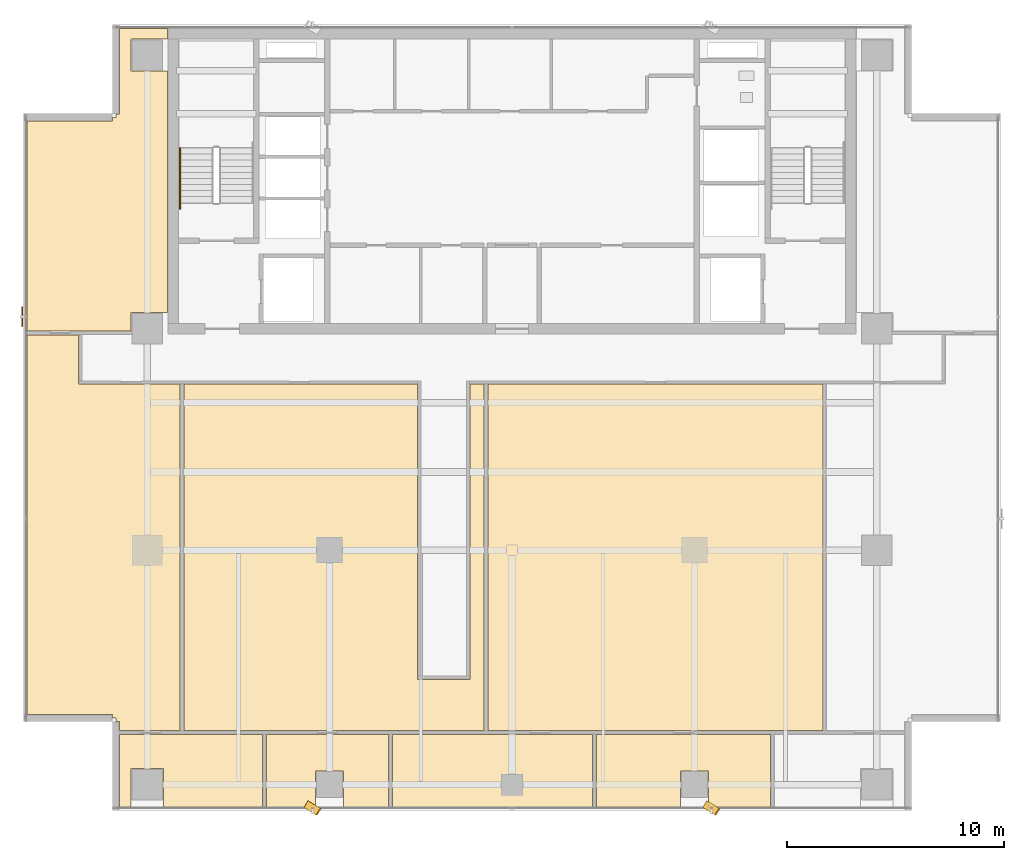
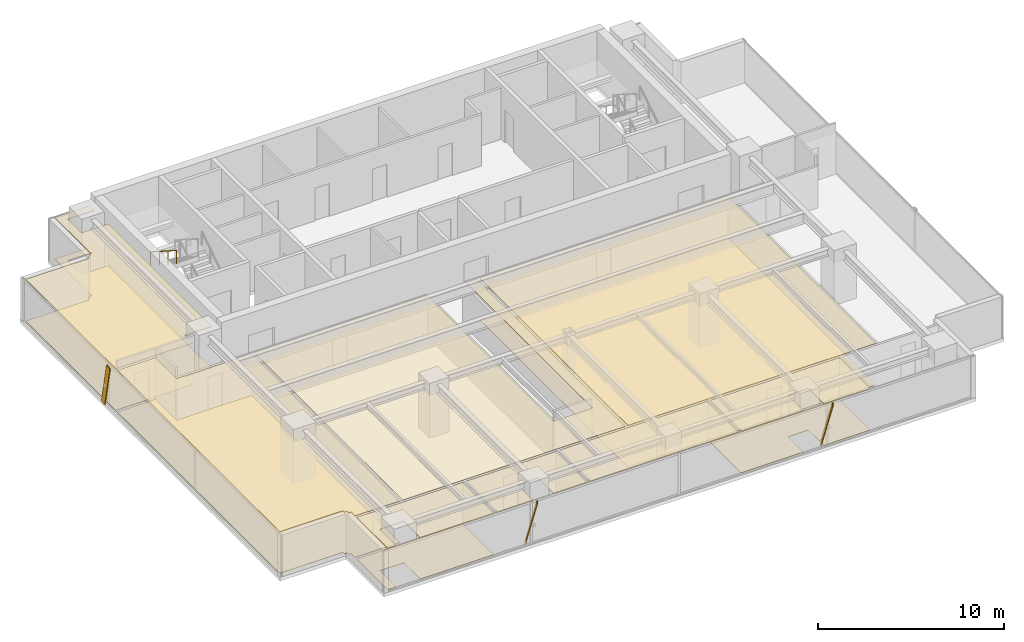
# One storey, part 22 of 26: 13 coverings, 3 shading devices, 1 railing.
"""IFC4 building model written with IfcOpenShell, lengths in metres."""

import ifcopenshell
import ifcopenshell.guid

model = None  # the IFC model being written
_history = None  # IfcOwnerHistory: only IFC2X3 demands one
_inside = {}  # id of a spatial element -> (the spatial element, [elements in it])
_under = {}  # id of a project, library or spatial element -> (it, [spatial elements below it])
_declared = {}  # id of a project -> (the project, [libraries it declares])
_typed = {}  # id of a type object -> (the type object, [elements of that type])
_made_of = {}  # id of a material, layer set ... -> (it, [elements and type objects made of it])


def new_model(schema):
    """Start an empty IFC model of exactly this schema.

    Asked for "IFC4X3", IfcOpenShell would pick the latest addendum, in which some entities
    have other attributes; the version numbers below select the first issue.
    IFC2X3 requires an IfcOwnerHistory on every rooted entity: one is made here for all.
    """
    global model, _history
    if schema == "IFC4X3":
        model = ifcopenshell.file(schema_version=(4, 3, 0, 0))
    else:
        model = ifcopenshell.file(schema=schema)
    _inside.clear()
    _under.clear()
    _declared.clear()
    _typed.clear()
    _made_of.clear()
    _history = None
    if model.schema == "IFC2X3":
        org = make("IfcOrganization", Name="unknown")
        user = make(
            "IfcPersonAndOrganization",
            ThePerson=make("IfcPerson", FamilyName="unknown"),
            TheOrganization=org,
        )
        app = make(
            "IfcApplication",
            ApplicationDeveloper=org,
            Version="unknown",
            ApplicationFullName="unknown",
            ApplicationIdentifier="unknown",
        )
        _history = make(
            "IfcOwnerHistory",
            OwningUser=user,
            OwningApplication=app,
            ChangeAction="ADDED",
            CreationDate=0,
        )
    return model


def make(cls, **values):
    """One entity of the class cls with the attributes given. An attribute that is None is left unset."""
    return model.create_entity(
        cls, **{name: value for name, value in values.items() if value is not None}
    )


def rooted(cls, **values):
    """An entity with a GlobalId (a new one), such as an element, a storey or a relation."""
    return make(cls, GlobalId=ifcopenshell.guid.new(), OwnerHistory=_history, **values)


def si_unit(unit_type, name, prefix=None):
    """IfcSIUnit, for example si_unit("LENGTHUNIT", "METRE", prefix="MILLI")."""
    return make("IfcSIUnit", UnitType=unit_type, Prefix=prefix, Name=name)


def assignment(units):
    """IfcUnitAssignment: the units of a project."""
    return None if units is None else make("IfcUnitAssignment", Units=units)


def point(xyz):
    """IfcCartesianPoint."""
    return None if xyz is None else make("IfcCartesianPoint", Coordinates=xyz)


def direction(xyz):
    """IfcDirection."""
    return None if xyz is None else make("IfcDirection", DirectionRatios=xyz)


def frame(location, z_axis=None, x_axis=None):
    """IfcAxis2Placement3D, a coordinate frame: its origin and axes. An axis left out is left unset."""
    return make(
        "IfcAxis2Placement3D",
        Location=point(location),
        Axis=direction(z_axis),
        RefDirection=direction(x_axis),
    )


def frame_2d(location, x_axis=None):
    """IfcAxis2Placement2D, a coordinate frame in the plane: its origin and x axis."""
    return make(
        "IfcAxis2Placement2D", Location=point(location), RefDirection=direction(x_axis)
    )


def origin():
    """The frame at (0, 0, 0) with its axes left unset."""
    return frame((0.0, 0.0, 0.0))


def origin_2d():
    """The frame at (0, 0) in the plane with its x axis left unset."""
    return frame_2d((0.0, 0.0))


def place(relative_to, where):
    """IfcLocalPlacement: puts the frame where relative to a parent placement (None: the world)."""
    return make(
        "IfcLocalPlacement", PlacementRelTo=relative_to, RelativePlacement=where
    )


def context(
    kind, dimensions, precision=None, world=None, true_north=None, identifier=None
):
    """IfcGeometricRepresentationContext, for example the 3D "Model" context."""
    return make(
        "IfcGeometricRepresentationContext",
        ContextIdentifier=identifier,
        ContextType=kind,
        CoordinateSpaceDimension=dimensions,
        Precision=precision,
        WorldCoordinateSystem=world,
        TrueNorth=true_north,
    )


def subcontext(parent, identifier, kind, view, scale=None):
    """IfcGeometricRepresentationSubContext, for example "Body" below "Model"."""
    return make(
        "IfcGeometricRepresentationSubContext",
        ContextIdentifier=identifier,
        ContextType=kind,
        ParentContext=parent,
        TargetScale=scale,
        TargetView=view,
    )


def project(units=None, contexts=None):
    """IfcProject with its units and contexts."""
    return rooted(
        "IfcProject",
        Name="project",
        RepresentationContexts=contexts,
        UnitsInContext=assignment(units),
    )


def spatial(cls, under=None, at=None, **own):
    """A site, building, storey or space (cls), placed at a placement, below another one or the project."""
    s = rooted(cls, ObjectPlacement=at, **own)
    if under is not None:
        _under.setdefault(under.id(), (under, []))[1].append(s)
    return s


def polyline(points):
    """IfcPolyline through the points."""
    return make("IfcPolyline", Points=[point(p) for p in points])


def profile(cls, at=None, kind="AREA", **sizes):
    """A parametric profile (cls). Its sizes go by their IFC names, for example OverallWidth=200.0."""
    return make(cls, ProfileType=kind, Position=at, **sizes)


def rectangle(**sizes):
    """IfcRectangleProfileDef."""
    return profile("IfcRectangleProfileDef", **sizes)


def outline(outer, holes=None, kind="AREA"):
    """IfcArbitraryClosedProfileDef: a profile drawn as a closed curve; with holes, ...WithVoids."""
    if holes is None:
        return make("IfcArbitraryClosedProfileDef", ProfileType=kind, OuterCurve=outer)
    return make(
        "IfcArbitraryProfileDefWithVoids",
        ProfileType=kind,
        OuterCurve=outer,
        InnerCurves=holes,
    )


def extrude(swept, where, along, depth):
    """IfcExtrudedAreaSolid: the profile swept, set in the frame where, extruded along a direction by depth."""
    return make(
        "IfcExtrudedAreaSolid",
        SweptArea=swept,
        Position=where,
        ExtrudedDirection=direction(along),
        Depth=depth,
    )


def shape(context_of_items, identifier, shape_type, items):
    """IfcShapeRepresentation: the items that make up one representation, for example the "Body"."""
    return make(
        "IfcShapeRepresentation",
        ContextOfItems=context_of_items,
        RepresentationIdentifier=identifier,
        RepresentationType=shape_type,
        Items=items,
    )


def source(mapping_origin, context_of_items, identifier, shape_type, items):
    """IfcRepresentationMap: a shape defined once, which mapped items show again and again."""
    return make(
        "IfcRepresentationMap",
        MappingOrigin=mapping_origin,
        MappedRepresentation=shape(context_of_items, identifier, shape_type, items),
    )


def transform(
    local_origin,
    x_axis=None,
    y_axis=None,
    z_axis=None,
    scale=None,
    scale2=None,
    scale3=None,
    uniform=True,
):
    """IfcCartesianTransformationOperator3D, or its non-uniform kind. x_axis, y_axis, z_axis: its Axis1, 2, 3."""
    if uniform:
        return make(
            "IfcCartesianTransformationOperator3D",
            Axis1=direction(x_axis),
            Axis2=direction(y_axis),
            LocalOrigin=point(local_origin),
            Scale=scale,
            Axis3=direction(z_axis),
        )
    return make(
        "IfcCartesianTransformationOperator3DnonUniform",
        Axis1=direction(x_axis),
        Axis2=direction(y_axis),
        LocalOrigin=point(local_origin),
        Scale=scale,
        Axis3=direction(z_axis),
        Scale2=scale2,
        Scale3=scale3,
    )


def mapped(mapping_source, mapping_target):
    """IfcMappedItem: shows the shape of a source again, moved by a transform."""
    return make(
        "IfcMappedItem", MappingSource=mapping_source, MappingTarget=mapping_target
    )


def material(Name=None, Category=None):
    """IfcMaterial."""
    return make("IfcMaterial", Name=Name, Category=Category)


def layer(
    of_material, thickness, ventilated=None, Name=None, Category=None, Priority=None
):
    """IfcMaterialLayer: one layer of a wall or slab, of a material (None: an air gap)."""
    return make(
        "IfcMaterialLayer",
        Material=of_material,
        LayerThickness=thickness,
        IsVentilated=ventilated,
        Name=Name,
        Category=Category,
        Priority=Priority,
    )


def layer_set(layers, Name=None):
    """IfcMaterialLayerSet."""
    return make("IfcMaterialLayerSet", MaterialLayers=layers, LayerSetName=Name)


def material_profile(
    of_material, cross_section, Name=None, Category=None, Priority=None
):
    """IfcMaterialProfile: a cross section and its material."""
    return make(
        "IfcMaterialProfile",
        Name=Name,
        Material=of_material,
        Profile=cross_section,
        Priority=Priority,
        Category=Category,
    )


def profile_set(profiles, Name=None, composite=None):
    """IfcMaterialProfileSet."""
    return make(
        "IfcMaterialProfileSet",
        Name=Name,
        MaterialProfiles=profiles,
        CompositeProfile=composite,
    )


def made_of(thing, what):
    """Note that an element or type object is made of a material, layer set ...; save() writes the relation."""
    if what is not None:
        _made_of.setdefault(what.id(), (what, []))[1].append(thing)
    return thing


def type_object(cls, material=None, **own):
    """A type object (cls), such as IfcWallType, which elements share."""
    return made_of(rooted(cls, **own), material)


def element(
    cls,
    number,
    at=None,
    inside=None,
    cuts=None,
    type_object=None,
    material=None,
    context=None,
    identifier="Body",
    shape_type=None,
    held_by="IfcProductDefinitionShape",
    body=None,
    shapes=None,
    **own,
):
    """One element of the class cls, such as IfcWall. Its Tag is "e" and its number.

    at: its placement. inside: the storey or other place that contains it. cuts: it is an
    opening in that element (IfcRelVoidsElement). A single representation is given by context,
    identifier, shape_type and body (its items); several are given by shapes. held_by: the class
    of the entity that holds the representations. save() writes the other relations.
    """
    e = rooted(cls, Tag="e%d" % number, ObjectPlacement=at, **own)
    if body is not None:
        shapes = [shape(context, identifier, shape_type, body)]
    if shapes is not None:
        e.Representation = make(held_by, Representations=shapes)
    if inside is not None:
        _inside.setdefault(inside.id(), (inside, []))[1].append(e)
    if cuts is not None:
        rooted(
            "IfcRelVoidsElement", RelatingBuildingElement=cuts, RelatedOpeningElement=e
        )
    if type_object is not None:
        _typed.setdefault(type_object.id(), (type_object, []))[1].append(e)
    return made_of(e, material)


def aggregate(whole, parts):
    """IfcRelAggregates: a whole, such as a stair, and the parts it consists of."""
    return rooted("IfcRelAggregates", RelatingObject=whole, RelatedObjects=parts)


def save(model, path):
    """Write the relations noted so far, then the file.

    IfcRelAggregates (storeys below a building ...), IfcRelContainedInSpatialStructure (elements
    in a storey), IfcRelDefinesByType, IfcRelAssociatesMaterial and IfcRelDeclares: one each for
    every whole, place, type object, material and project.
    """
    for whole, parts in _under.values():
        aggregate(whole, parts)
    for where, things in _inside.values():
        rooted(
            "IfcRelContainedInSpatialStructure",
            RelatedElements=things,
            RelatingStructure=where,
        )
    for kind, things in _typed.values():
        rooted("IfcRelDefinesByType", RelatedObjects=things, RelatingType=kind)
    for what, things in _made_of.values():
        rooted("IfcRelAssociatesMaterial", RelatedObjects=things, RelatingMaterial=what)
    for by, libraries in _declared.values():
        rooted("IfcRelDeclares", RelatingContext=by, RelatedDefinitions=libraries)
    model.write(path)


model = new_model("IFC4")

# Units and contexts
model_context = context("Model", 3, precision=1e-05, world=origin(), true_north=direction((0.0, 1.0)))
body_context = subcontext(model_context, "Body", "Model", "MODEL_VIEW")
ifc_project = project(units=[si_unit("LENGTHUNIT", "METRE"), si_unit("AREAUNIT", "SQUARE_METRE"), si_unit("VOLUMEUNIT", "CUBIC_METRE"), si_unit("PLANEANGLEUNIT", "RADIAN"), si_unit("MASSUNIT", "GRAM", prefix="KILO")], contexts=[model_context])

# Site, building, storey
site_placement = place(None, origin())
site = spatial("IfcSite", under=ifc_project, at=site_placement, CompositionType="ELEMENT")
building_placement = place(site_placement, origin())
building = spatial("IfcBuilding", under=site, at=building_placement, Name="Sumidabori Civic Tower", CompositionType="ELEMENT")
storey_placement = place(building_placement, frame((0.0, 0.0, 236.0)))
storey = spatial("IfcBuildingStorey", under=building, at=storey_placement, Name="L61", CompositionType="ELEMENT", Elevation=236.0)

# Coverings
ifc_material_1 = material(Name="Perforated Timber Acoustic Ceiling", Category="wood")
ifc_layer_1 = layer(ifc_material_1, 0.044921875, Name="Perforated Timber Acoustic Ceiling")
ifc_layer_set_1 = layer_set([ifc_layer_1], Name="Perforated Timber Acoustic Ceiling")
covering_type_1 = type_object("IfcCoveringType", Name="CV-CEIL-AC2", PredefinedType="CEILING", material=ifc_layer_set_1)
covering_1_placement = place(storey_placement, frame((0.0, 0.0, 2.719970703125)))
element("IfcCovering", 1, at=covering_1_placement, inside=storey, type_object=covering_type_1, Name="Room Acoustic Ceiling L61-01", PredefinedType="CEILING", context=body_context, shape_type="SweptSolid", body=[
    extrude(outline(polyline([(-22.330078125, 10.08740234375), (-22.330078125, 19.77197265625), (-18.39208984375, 19.77197265625), (-18.39208984375, 19.929931640625), (-18.22998046875, 19.929931640625), (-18.22998046875, 20.092041015625), (-18.072021484375, 20.092041015625), (-18.072021484375, 24.030029296875), (-15.8779296875, 24.030029296875), (-15.8779296875, 23.5400390625), (-17.5400390625, 23.5400390625), (-17.5400390625, 22.06005859375), (-15.8779296875, 22.06005859375), (-15.8779296875, 10.93994140625), (-17.5400390625, 10.93994140625), (-17.5400390625, 10.10498046875), (-19.955078125, 10.10498046875), (-19.955078125, 10.08740234375), (-22.330078125, 10.08740234375)])), origin(), (0.0, 0.0, 1.0), 0.044921875),
])
covering_2_placement = place(storey_placement, frame((0.0, 0.0, 2.719970703125)))
element("IfcCovering", 2, at=covering_2_placement, inside=storey, type_object=covering_type_1, Name="Room Acoustic Ceiling L61-03", PredefinedType="CEILING", context=body_context, shape_type="SweptSolid", body=[
    extrude(outline(polyline([(-22.330078125, -7.572021484375), (-22.330078125, 9.91259765625), (-19.955078125, 9.91259765625), (-19.955078125, 7.64501953125), (-15.28759765625, 7.64501953125), (-15.28759765625, -8.3125), (-18.072021484375, -8.3125), (-18.072021484375, -7.89208984375), (-18.22998046875, -7.89208984375), (-18.22998046875, -7.72998046875), (-18.39208984375, -7.72998046875), (-18.39208984375, -7.572021484375), (-22.330078125, -7.572021484375)])), origin(), (0.0, 0.0, 1.0), 0.044921875),
])
covering_3_placement = place(storey_placement, frame((0.0, 0.0, 2.719970703125)))
element("IfcCovering", 3, at=covering_3_placement, inside=storey, type_object=covering_type_1, Name="Room Acoustic Ceiling L61-05", PredefinedType="CEILING", context=body_context, shape_type="SweptSolid", body=[
    extrude(outline(polyline([(-1.112548828125, -8.3125), (-1.112548828125, 7.64501953125), (14.3125, 7.64501953125), (14.3125, -8.3125), (-1.112548828125, -8.3125)])), origin(), (0.0, 0.0, 1.0), 0.044921875),
])
covering_4_placement = place(storey_placement, frame((0.0, 0.0, 2.719970703125)))
element("IfcCovering", 4, at=covering_4_placement, inside=storey, type_object=covering_type_1, Name="Room Acoustic Ceiling L61-06", PredefinedType="CEILING", context=body_context, shape_type="SweptSolid", body=[
    extrude(outline(polyline([(-15.112548828125, -8.3125), (-15.112548828125, 7.64501953125), (-4.35498046875, 7.64501953125), (-4.35498046875, -5.955078125), (-1.945068359375, -5.955078125), (-1.945068359375, 7.64501953125), (-1.28759765625, 7.64501953125), (-1.28759765625, -8.3125), (-15.112548828125, -8.3125)])), origin(), (0.0, 0.0, 1.0), 0.044921875),
])
covering_5_placement = place(storey_placement, frame((0.0, 0.0, 2.719970703125)))
element("IfcCovering", 5, at=covering_5_placement, inside=storey, type_object=covering_type_1, Name="Room Acoustic Ceiling L61-07", PredefinedType="CEILING", context=body_context, shape_type="SweptSolid", body=[
    extrude(outline(polyline([(-11.487548828125, -8.487548828125), (-11.487548828125, -11.830078125), (-16.06005859375, -11.830078125), (-16.06005859375, -10.06005859375), (-17.5400390625, -10.06005859375), (-17.5400390625, -11.830078125), (-18.072021484375, -11.830078125), (-18.072021484375, -8.487548828125), (-11.487548828125, -8.487548828125)])), origin(), (0.0, 0.0, 1.0), 0.044921875),
])
covering_6_placement = place(storey_placement, frame((0.0, 0.0, 2.719970703125)))
element("IfcCovering", 6, at=covering_6_placement, inside=storey, type_object=covering_type_1, Name="Room Acoustic Ceiling L61-08", PredefinedType="CEILING", context=body_context, shape_type="SweptSolid", body=[
    extrude(outline(polyline([(-5.6875, -8.487548828125), (-5.6875, -11.830078125), (-7.760009765625, -11.830078125), (-7.760009765625, -10.159912109375), (-9.0400390625, -10.159912109375), (-9.0400390625, -11.830078125), (-11.3125, -11.830078125), (-11.3125, -8.487548828125), (-5.6875, -8.487548828125)])), origin(), (0.0, 0.0, 1.0), 0.044921875),
])
covering_7_placement = place(storey_placement, frame((0.0, 0.0, 2.719970703125)))
element("IfcCovering", 7, at=covering_7_placement, inside=storey, type_object=covering_type_1, Name="Room Acoustic Ceiling L61-10", PredefinedType="CEILING", context=body_context, shape_type="SweptSolid", body=[
    extrude(outline(polyline([(3.71240234375, -8.487548828125), (3.71240234375, -11.830078125), (-5.512451171875, -11.830078125), (-5.512451171875, -8.487548828125), (3.71240234375, -8.487548828125)])), origin(), (0.0, 0.0, 1.0), 0.044921875),
])
covering_8_placement = place(storey_placement, frame((0.0, 0.0, 2.719970703125)))
element("IfcCovering", 8, at=covering_8_placement, inside=storey, type_object=covering_type_1, Name="Room Acoustic Ceiling L61-11", PredefinedType="CEILING", context=body_context, shape_type="SweptSolid", body=[
    extrude(outline(polyline([(11.91259765625, -8.487548828125), (11.91259765625, -11.830078125), (9.0400390625, -11.830078125), (9.0400390625, -10.159912109375), (7.760009765625, -10.159912109375), (7.760009765625, -11.830078125), (3.887451171875, -11.830078125), (3.887451171875, -8.487548828125), (11.91259765625, -8.487548828125)])), origin(), (0.0, 0.0, 1.0), 0.044921875),
])
ifc_material_2 = material(Name="Honed Terrazzo Tile Flooring")
ifc_layer_2 = layer(ifc_material_2, 0.030029296875, Name="Honed Terrazzo Tile Flooring")
ifc_layer_set_2 = layer_set([ifc_layer_2], Name="Honed Terrazzo Tile Flooring")
covering_type_2 = type_object("IfcCoveringType", Name="CV-FLR-TER", PredefinedType="FLOORING", material=ifc_layer_set_2)
covering_9_placement = place(storey_placement, origin())
element("IfcCovering", 9, at=covering_9_placement, inside=storey, type_object=covering_type_2, Name="Room Terrazzo Floor L61-01", PredefinedType="FLOORING", context=body_context, shape_type="SweptSolid", body=[
    extrude(outline(polyline([(-22.330078125, 10.08740234375), (-22.330078125, 19.77197265625), (-18.39208984375, 19.77197265625), (-18.39208984375, 19.929931640625), (-18.22998046875, 19.929931640625), (-18.22998046875, 20.092041015625), (-18.072021484375, 20.092041015625), (-18.072021484375, 24.030029296875), (-15.8779296875, 24.030029296875), (-15.8779296875, 23.5400390625), (-17.5400390625, 23.5400390625), (-17.5400390625, 22.06005859375), (-15.8779296875, 22.06005859375), (-15.8779296875, 10.93994140625), (-17.5400390625, 10.93994140625), (-17.5400390625, 10.10498046875), (-19.955078125, 10.10498046875), (-19.955078125, 10.08740234375), (-22.330078125, 10.08740234375)])), origin(), (0.0, 0.0, 1.0), 0.030029296875),
])
covering_10_placement = place(storey_placement, origin())
element("IfcCovering", 10, at=covering_10_placement, inside=storey, type_object=covering_type_2, Name="Room Terrazzo Floor L61-03", PredefinedType="FLOORING", context=body_context, shape_type="SweptSolid", body=[
    extrude(outline(polyline([(-22.330078125, -7.572021484375), (-22.330078125, 9.91259765625), (-19.955078125, 9.91259765625), (-19.955078125, 7.64501953125), (-15.28759765625, 7.64501953125), (-15.28759765625, -8.3125), (-18.072021484375, -8.3125), (-18.072021484375, -7.89208984375), (-18.22998046875, -7.89208984375), (-18.22998046875, -7.72998046875), (-18.39208984375, -7.72998046875), (-18.39208984375, -7.572021484375), (-22.330078125, -7.572021484375)])), origin(), (0.0, 0.0, 1.0), 0.030029296875),
])
covering_11_placement = place(storey_placement, origin())
element("IfcCovering", 11, at=covering_11_placement, inside=storey, type_object=covering_type_2, Name="Room Terrazzo Floor L61-05", PredefinedType="FLOORING", context=body_context, shape_type="SweptSolid", body=[
    extrude(outline(polyline([(-1.112548828125, -8.3125), (-1.112548828125, 7.64501953125), (14.3125, 7.64501953125), (14.3125, -8.3125), (-1.112548828125, -8.3125)])), origin(), (0.0, 0.0, 1.0), 0.030029296875),
])
covering_12_placement = place(storey_placement, origin())
element("IfcCovering", 12, at=covering_12_placement, inside=storey, type_object=covering_type_2, Name="Room Terrazzo Floor L61-07", PredefinedType="FLOORING", context=body_context, shape_type="SweptSolid", body=[
    extrude(outline(polyline([(-11.487548828125, -8.487548828125), (-11.487548828125, -11.830078125), (-16.06005859375, -11.830078125), (-16.06005859375, -10.06005859375), (-17.5400390625, -10.06005859375), (-17.5400390625, -11.830078125), (-18.072021484375, -11.830078125), (-18.072021484375, -8.487548828125), (-11.487548828125, -8.487548828125)])), origin(), (0.0, 0.0, 1.0), 0.030029296875),
])
covering_13_placement = place(storey_placement, origin())
element("IfcCovering", 13, at=covering_13_placement, inside=storey, type_object=covering_type_2, Name="Room Terrazzo Floor L61-11", PredefinedType="FLOORING", context=body_context, shape_type="SweptSolid", body=[
    extrude(outline(polyline([(11.91259765625, -8.487548828125), (11.91259765625, -11.830078125), (9.0400390625, -11.830078125), (9.0400390625, -10.159912109375), (7.760009765625, -10.159912109375), (7.760009765625, -11.830078125), (3.887451171875, -11.830078125), (3.887451171875, -8.487548828125), (11.91259765625, -8.487548828125)])), origin(), (0.0, 0.0, 1.0), 0.030029296875),
])

# Railing
ifc_material_3 = material(Name="Stainless Steel Hairline Finish", Category="steel")
railing_type = type_object("IfcRailingType", Name="RL-HANDRAIL", PredefinedType="HANDRAIL", material=ifc_material_3)
railing_placement = place(storey_placement, frame((-15.2900390625, 18.52001953125, 1.97998046875)))
element("IfcRailing", 14, at=railing_placement, inside=storey, type_object=railing_type, Name="L61 ST-1 stair handrail 2", PredefinedType="HANDRAIL", context=body_context, shape_type="SweptSolid", body=[
    extrude(rectangle(XDim=0.048095703125, YDim=0.048095703125, at=origin_2d()), frame((0.0, 0.0, 0.8759765625), z_axis=(0.0, -0.840675598268, 0.541539046124), x_axis=(1.0, 0.0, 0.0)), (0.0, 0.0, 1.0), 3.330810546875),
    extrude(rectangle(XDim=0.0419921875, YDim=0.0419921875, at=origin_2d()), origin(), (0.0, 0.0, 1.0), 0.851806640625),
    extrude(rectangle(XDim=0.0419921875, YDim=0.0419921875, at=origin_2d()), frame((0.0, -0.933349609375, 0.601318359375)), (0.0, 0.0, 1.0), 0.851806640625),
    extrude(rectangle(XDim=0.0419921875, YDim=0.0419921875, at=origin_2d()), frame((0.0, -1.86669921875, 1.202392578125)), (0.0, 0.0, 1.0), 0.851806640625),
    extrude(rectangle(XDim=0.0419921875, YDim=0.0419921875, at=origin_2d()), frame((0.0, -2.800048828125, 1.8037109375)), (0.0, 0.0, 1.0), 0.851806640625),
])

# Shading devices
ifc_material_4 = material(Name="Anodised Bronze Aluminium AW-6063-T6", Category="aluminium")
ifc_material_profile = material_profile(ifc_material_4, rectangle(XDim=0.054931640625, YDim=0.360107421875, at=origin_2d()), Name="BRONZE FIN 360x55")
ifc_profile_set = profile_set([ifc_material_profile], Name="Anodised Bronze Aluminium AW-6063-T6")
shading_device_type = type_object("IfcShadingDeviceType", Name="SH-FIN-360", PredefinedType="USERDEFINED", material=ifc_profile_set)
shared_shape_1 = source(origin(), body_context, "Body", "SweptSolid", [
    extrude(rectangle(XDim=0.054931640625, YDim=0.360107421875, at=origin_2d()), origin(), (0.0, 0.0, 1.0), 2.7685546875),
])
for number, where, z_axis, x_axis, name in (
    (15, (-9.465087890625, -11.7099609375, 0.02001953125), (0.202289930374, -0.122837782481, 0.971591304646), (0.830469701518, -0.504291322674, -0.236665030656), "Bronze Anodised Diagonal Fin L61-01"),
    (16, (8.905029296875, -11.7099609375, 0.02001953125), (0.202289930374, -0.122837782481, 0.971591304646), (0.830469701518, -0.504291322674, -0.236665030656), "Bronze Anodised Diagonal Fin L61-03"),
):
    element("IfcShadingDevice", number, at=place(storey_placement, frame(where, z_axis=z_axis, x_axis=x_axis)), inside=storey, type_object=shading_device_type, Name=name, ObjectType="FIN", PredefinedType="USERDEFINED", context=body_context, shape_type="MappedRepresentation", body=[
        mapped(shared_shape_1, transform((0.0, 0.0, 0.0), x_axis=(1.0, 0.0, 0.0), y_axis=(0.0, 1.0, 0.0), z_axis=(0.0, 0.0, 1.0), scale=1.0)),
    ])
shared_shape_2 = source(origin(), body_context, "Body", "SweptSolid", [
    extrude(rectangle(XDim=0.054931640625, YDim=0.360107421875, at=origin_2d()), origin(), (0.0, 0.0, 1.0), 2.74755859375),
])
shading_device_placement = place(storey_placement, frame((-22.550048828125, 11.03662109375, 0.02001953125), z_axis=(0.0, -0.203748445037, 0.979023274057), x_axis=(-1.0, 0.0, 0.0)))
element("IfcShadingDevice", 17, at=shading_device_placement, inside=storey, type_object=shading_device_type, Name="Bronze Anodised Diagonal Fin L61-01", ObjectType="FIN", PredefinedType="USERDEFINED", context=body_context, shape_type="MappedRepresentation", body=[
    mapped(shared_shape_2, transform((0.0, 0.0, 0.0), x_axis=(1.0, 0.0, 0.0), y_axis=(0.0, 1.0, 0.0), z_axis=(0.0, 0.0, 1.0), scale=1.0)),
])

save(model, "model.ifc")
